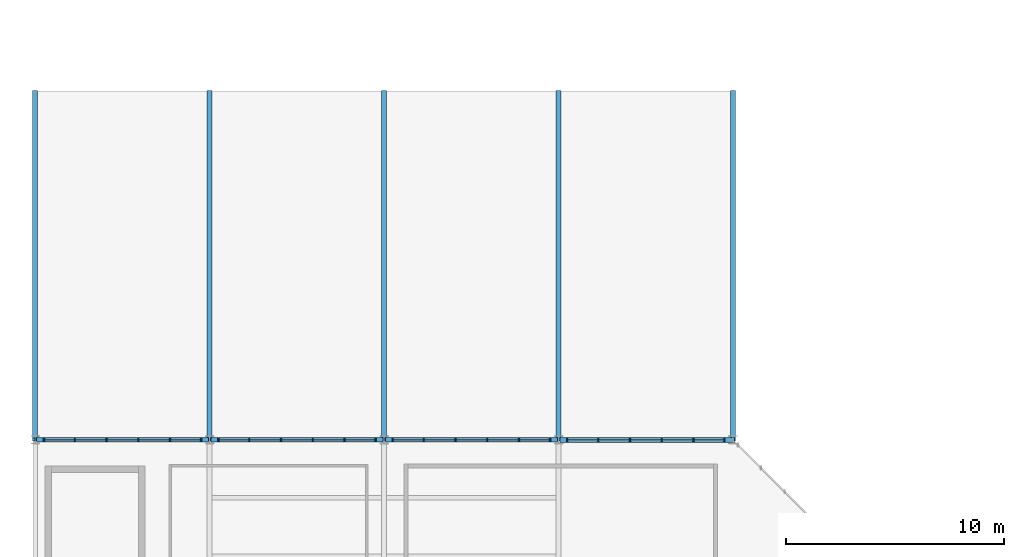
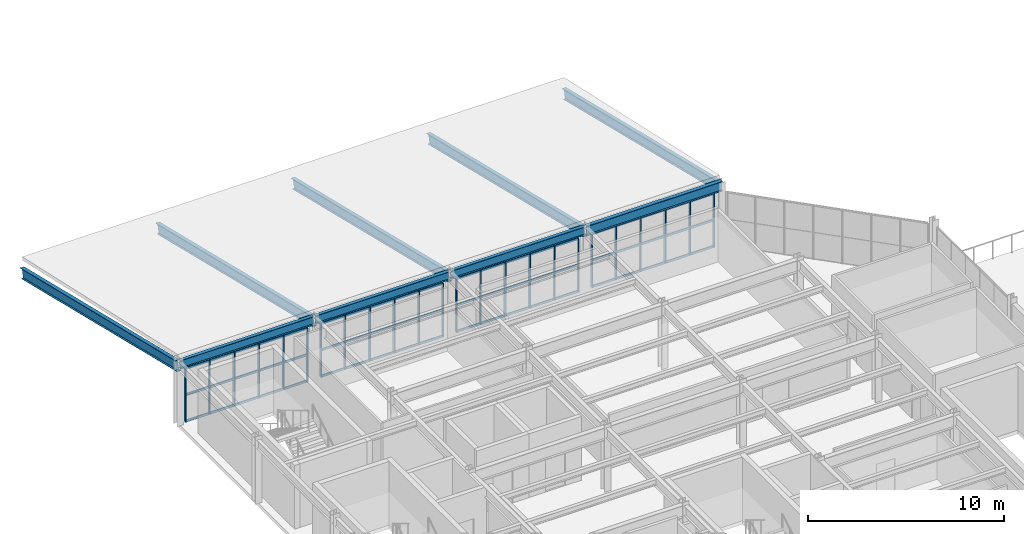
# One storey, part 5 of 27: 36 members, 9 beams, 4 elements without a shape of their own.
"""IFC4 building model written with IfcOpenShell, lengths in metres."""

import ifcopenshell
import ifcopenshell.guid

model = None  # the IFC model being written
_history = None  # IfcOwnerHistory: only IFC2X3 demands one
_inside = {}  # id of a spatial element -> (the spatial element, [elements in it])
_under = {}  # id of a project, library or spatial element -> (it, [spatial elements below it])
_declared = {}  # id of a project -> (the project, [libraries it declares])
_typed = {}  # id of a type object -> (the type object, [elements of that type])
_made_of = {}  # id of a material, layer set ... -> (it, [elements and type objects made of it])


def new_model(schema):
    """Start an empty IFC model of exactly this schema.

    Asked for "IFC4X3", IfcOpenShell would pick the latest addendum, in which some entities
    have other attributes; the version numbers below select the first issue.
    IFC2X3 requires an IfcOwnerHistory on every rooted entity: one is made here for all.
    """
    global model, _history
    if schema == "IFC4X3":
        model = ifcopenshell.file(schema_version=(4, 3, 0, 0))
    else:
        model = ifcopenshell.file(schema=schema)
    _inside.clear()
    _under.clear()
    _declared.clear()
    _typed.clear()
    _made_of.clear()
    _history = None
    if model.schema == "IFC2X3":
        org = make("IfcOrganization", Name="unknown")
        user = make(
            "IfcPersonAndOrganization",
            ThePerson=make("IfcPerson", FamilyName="unknown"),
            TheOrganization=org,
        )
        app = make(
            "IfcApplication",
            ApplicationDeveloper=org,
            Version="unknown",
            ApplicationFullName="unknown",
            ApplicationIdentifier="unknown",
        )
        _history = make(
            "IfcOwnerHistory",
            OwningUser=user,
            OwningApplication=app,
            ChangeAction="ADDED",
            CreationDate=0,
        )
    return model


def make(cls, **values):
    """One entity of the class cls with the attributes given. An attribute that is None is left unset."""
    return model.create_entity(
        cls, **{name: value for name, value in values.items() if value is not None}
    )


def rooted(cls, **values):
    """An entity with a GlobalId (a new one), such as an element, a storey or a relation."""
    return make(cls, GlobalId=ifcopenshell.guid.new(), OwnerHistory=_history, **values)


def si_unit(unit_type, name, prefix=None):
    """IfcSIUnit, for example si_unit("LENGTHUNIT", "METRE", prefix="MILLI")."""
    return make("IfcSIUnit", UnitType=unit_type, Prefix=prefix, Name=name)


def assignment(units):
    """IfcUnitAssignment: the units of a project."""
    return None if units is None else make("IfcUnitAssignment", Units=units)


def point(xyz):
    """IfcCartesianPoint."""
    return None if xyz is None else make("IfcCartesianPoint", Coordinates=xyz)


def direction(xyz):
    """IfcDirection."""
    return None if xyz is None else make("IfcDirection", DirectionRatios=xyz)


def frame(location, z_axis=None, x_axis=None):
    """IfcAxis2Placement3D, a coordinate frame: its origin and axes. An axis left out is left unset."""
    return make(
        "IfcAxis2Placement3D",
        Location=point(location),
        Axis=direction(z_axis),
        RefDirection=direction(x_axis),
    )


def frame_2d(location, x_axis=None):
    """IfcAxis2Placement2D, a coordinate frame in the plane: its origin and x axis."""
    return make(
        "IfcAxis2Placement2D", Location=point(location), RefDirection=direction(x_axis)
    )


def origin():
    """The frame at (0, 0, 0) with its axes left unset."""
    return frame((0.0, 0.0, 0.0))


def origin_2d():
    """The frame at (0, 0) in the plane with its x axis left unset."""
    return frame_2d((0.0, 0.0))


def place(relative_to, where):
    """IfcLocalPlacement: puts the frame where relative to a parent placement (None: the world)."""
    return make(
        "IfcLocalPlacement", PlacementRelTo=relative_to, RelativePlacement=where
    )


def context(
    kind, dimensions, precision=None, world=None, true_north=None, identifier=None
):
    """IfcGeometricRepresentationContext, for example the 3D "Model" context."""
    return make(
        "IfcGeometricRepresentationContext",
        ContextIdentifier=identifier,
        ContextType=kind,
        CoordinateSpaceDimension=dimensions,
        Precision=precision,
        WorldCoordinateSystem=world,
        TrueNorth=true_north,
    )


def subcontext(parent, identifier, kind, view, scale=None):
    """IfcGeometricRepresentationSubContext, for example "Body" below "Model"."""
    return make(
        "IfcGeometricRepresentationSubContext",
        ContextIdentifier=identifier,
        ContextType=kind,
        ParentContext=parent,
        TargetScale=scale,
        TargetView=view,
    )


def project(units=None, contexts=None):
    """IfcProject with its units and contexts."""
    return rooted(
        "IfcProject",
        Name="project",
        RepresentationContexts=contexts,
        UnitsInContext=assignment(units),
    )


def spatial(cls, under=None, at=None, **own):
    """A site, building, storey or space (cls), placed at a placement, below another one or the project."""
    s = rooted(cls, ObjectPlacement=at, **own)
    if under is not None:
        _under.setdefault(under.id(), (under, []))[1].append(s)
    return s


def profile(cls, at=None, kind="AREA", **sizes):
    """A parametric profile (cls). Its sizes go by their IFC names, for example OverallWidth=200.0."""
    return make(cls, ProfileType=kind, Position=at, **sizes)


def rectangle(**sizes):
    """IfcRectangleProfileDef."""
    return profile("IfcRectangleProfileDef", **sizes)


def i_section(**sizes):
    """IfcIShapeProfileDef."""
    return profile("IfcIShapeProfileDef", **sizes)


def extrude(swept, where, along, depth):
    """IfcExtrudedAreaSolid: the profile swept, set in the frame where, extruded along a direction by depth."""
    return make(
        "IfcExtrudedAreaSolid",
        SweptArea=swept,
        Position=where,
        ExtrudedDirection=direction(along),
        Depth=depth,
    )


def shape(context_of_items, identifier, shape_type, items):
    """IfcShapeRepresentation: the items that make up one representation, for example the "Body"."""
    return make(
        "IfcShapeRepresentation",
        ContextOfItems=context_of_items,
        RepresentationIdentifier=identifier,
        RepresentationType=shape_type,
        Items=items,
    )


def material(Name=None, Category=None):
    """IfcMaterial."""
    return make("IfcMaterial", Name=Name, Category=Category)


def material_profile(
    of_material, cross_section, Name=None, Category=None, Priority=None
):
    """IfcMaterialProfile: a cross section and its material."""
    return make(
        "IfcMaterialProfile",
        Name=Name,
        Material=of_material,
        Profile=cross_section,
        Priority=Priority,
        Category=Category,
    )


def profile_set(profiles, Name=None, composite=None):
    """IfcMaterialProfileSet."""
    return make(
        "IfcMaterialProfileSet",
        Name=Name,
        MaterialProfiles=profiles,
        CompositeProfile=composite,
    )


def made_of(thing, what):
    """Note that an element or type object is made of a material, layer set ...; save() writes the relation."""
    if what is not None:
        _made_of.setdefault(what.id(), (what, []))[1].append(thing)
    return thing


def type_object(cls, material=None, **own):
    """A type object (cls), such as IfcWallType, which elements share."""
    return made_of(rooted(cls, **own), material)


def element(
    cls,
    number,
    at=None,
    inside=None,
    cuts=None,
    type_object=None,
    material=None,
    context=None,
    identifier="Body",
    shape_type=None,
    held_by="IfcProductDefinitionShape",
    body=None,
    shapes=None,
    **own,
):
    """One element of the class cls, such as IfcWall. Its Tag is "e" and its number.

    at: its placement. inside: the storey or other place that contains it. cuts: it is an
    opening in that element (IfcRelVoidsElement). A single representation is given by context,
    identifier, shape_type and body (its items); several are given by shapes. held_by: the class
    of the entity that holds the representations. save() writes the other relations.
    """
    e = rooted(cls, Tag="e%d" % number, ObjectPlacement=at, **own)
    if body is not None:
        shapes = [shape(context, identifier, shape_type, body)]
    if shapes is not None:
        e.Representation = make(held_by, Representations=shapes)
    if inside is not None:
        _inside.setdefault(inside.id(), (inside, []))[1].append(e)
    if cuts is not None:
        rooted(
            "IfcRelVoidsElement", RelatingBuildingElement=cuts, RelatedOpeningElement=e
        )
    if type_object is not None:
        _typed.setdefault(type_object.id(), (type_object, []))[1].append(e)
    return made_of(e, material)


def aggregate(whole, parts):
    """IfcRelAggregates: a whole, such as a stair, and the parts it consists of."""
    return rooted("IfcRelAggregates", RelatingObject=whole, RelatedObjects=parts)


def save(model, path):
    """Write the relations noted so far, then the file.

    IfcRelAggregates (storeys below a building ...), IfcRelContainedInSpatialStructure (elements
    in a storey), IfcRelDefinesByType, IfcRelAssociatesMaterial and IfcRelDeclares: one each for
    every whole, place, type object, material and project.
    """
    for whole, parts in _under.values():
        aggregate(whole, parts)
    for where, things in _inside.values():
        rooted(
            "IfcRelContainedInSpatialStructure",
            RelatedElements=things,
            RelatingStructure=where,
        )
    for kind, things in _typed.values():
        rooted("IfcRelDefinesByType", RelatedObjects=things, RelatingType=kind)
    for what, things in _made_of.values():
        rooted("IfcRelAssociatesMaterial", RelatedObjects=things, RelatingMaterial=what)
    for by, libraries in _declared.values():
        rooted("IfcRelDeclares", RelatingContext=by, RelatedDefinitions=libraries)
    model.write(path)


model = new_model("IFC4")

# Units and contexts
model_context = context("Model", 3, precision=1e-05, world=origin(), true_north=direction((0.0, 1.0)))
body_context = subcontext(model_context, "Body", "Model", "MODEL_VIEW")
ifc_project = project(units=[si_unit("LENGTHUNIT", "METRE"), si_unit("AREAUNIT", "SQUARE_METRE"), si_unit("VOLUMEUNIT", "CUBIC_METRE"), si_unit("PLANEANGLEUNIT", "RADIAN"), si_unit("MASSUNIT", "GRAM", prefix="KILO")], contexts=[model_context])

# Site, building, storey
site_placement = place(None, origin())
site = spatial("IfcSite", under=ifc_project, at=site_placement, CompositionType="ELEMENT")
building_placement = place(site_placement, origin())
building = spatial("IfcBuilding", under=site, at=building_placement, Name="Drelvath Fold Interchange", CompositionType="ELEMENT")
storey_placement = place(building_placement, frame((0.0, 0.0, 19.800048828125)))
storey = spatial("IfcBuildingStorey", under=building, at=storey_placement, Name="L04", CompositionType="ELEMENT", Elevation=19.800048828125)

# Beams
ifc_material_1 = material(Name="Steel ASTM A992 Grade 50", Category="steel")
ifc_material_profile_1 = material_profile(ifc_material_1, i_section(OverallWidth=0.2099609375, OverallDepth=0.537109375, WebThickness=0.010986328125, FlangeThickness=0.017333984375, at=origin_2d()), Name="W21X68")
ifc_profile_set_1 = profile_set([ifc_material_profile_1], Name="Steel ASTM A992 Grade 50")
beam_type_1 = type_object("IfcBeamType", Name="BM-W21X68", PredefinedType="SPANDREL", material=ifc_profile_set_1)
for number, where, z_axis, x_axis, name in (
    (1, (4.06005859375, 35.0, 3.717041015625), (1.0, 0.0, 0.0), (0.0, 1.0, 0.0), "L04 Primary X girder BM-W21X68"),
    (2, (12.06005859375, 35.0, 3.717041015625), (1.0, 0.0, 0.0), (0.0, 1.0, 0.0), "L04 Primary X girder BM-W21X68"),
    (3, (20.06005859375, 35.0, 3.717041015625), (1.0, 0.0, 0.0), (0.0, 1.0, 0.0), "L04 Primary X girder BM-W21X68"),
):
    element("IfcBeam", number, at=place(storey_placement, frame(where, z_axis=z_axis, x_axis=x_axis)), inside=storey, type_object=beam_type_1, Name=name, PredefinedType="SPANDREL", context=body_context, shape_type="SweptSolid", body=[
        extrude(i_section(OverallWidth=0.2099609375, OverallDepth=0.537109375, WebThickness=0.010986328125, FlangeThickness=0.017333984375, at=origin_2d()), origin(), (0.0, 0.0, 1.0), 7.8798828125),
    ])
ifc_material_profile_2 = material_profile(ifc_material_1, i_section(OverallWidth=0.22998046875, OverallDepth=0.616943359375, WebThickness=0.01318359375, FlangeThickness=0.022216796875, at=origin_2d()), Name="W24X94")
ifc_profile_set_2 = profile_set([ifc_material_profile_2], Name="Steel ASTM A992 Grade 50")
beam_type_2 = type_object("IfcBeamType", Name="BM-W24X94", PredefinedType="BEAM", material=ifc_profile_set_2)
beam_placement = place(storey_placement, frame((28.06005859375, 35.0, 3.677001953125), z_axis=(1.0, 0.0, 0.0), x_axis=(0.0, 1.0, 0.0)))
element("IfcBeam", 4, at=beam_placement, inside=storey, type_object=beam_type_2, Name="L04 Operations shoulder ridge girder BM-W24X94", PredefinedType="BEAM", context=body_context, shape_type="SweptSolid", body=[
    extrude(i_section(OverallWidth=0.22998046875, OverallDepth=0.616943359375, WebThickness=0.01318359375, FlangeThickness=0.022216796875, at=origin_2d()), origin(), (0.0, 0.0, 1.0), 8.0),
])
for number, where, z_axis, x_axis, name in (
    (5, (4.0, 35.02001953125, 3.619873046875), (0.0, 0.972016791256, -0.234911382264), (-1.0, 0.0, 0.0), "Operations shoulder roof rafter"),
    (6, (12.0, 35.02001953125, 3.619873046875), (0.0, 0.972016791256, -0.234911382264), (-1.0, 0.0, 0.0), "Operations shoulder roof rafter"),
    (7, (20.0, 35.02001953125, 3.619873046875), (0.0, 0.972016791256, -0.234911382264), (-1.0, 0.0, 0.0), "Operations shoulder roof rafter"),
    (8, (28.0, 35.02001953125, 3.619873046875), (0.0, 0.972016791256, -0.234911382264), (-1.0, 0.0, 0.0), "Operations shoulder roof rafter"),
    (9, (36.0, 35.02001953125, 3.619873046875), (0.0, 0.972016791256, -0.234911382264), (-1.0, 0.0, 0.0), "Operations shoulder roof rafter"),
):
    element("IfcBeam", number, at=place(storey_placement, frame(where, z_axis=z_axis, x_axis=x_axis)), inside=storey, type_object=beam_type_2, Name=name, PredefinedType="BEAM", context=body_context, shape_type="SweptSolid", body=[
        extrude(i_section(OverallWidth=0.22998046875, OverallDepth=0.616943359375, WebThickness=0.01318359375, FlangeThickness=0.022216796875, at=origin_2d()), origin(), (0.0, 0.0, 1.0), 16.388427734375),
    ])

# Curtain wall, members
ifc_material_2 = material(Name="Anodized Aluminium 6063-T6", Category="aluminium")
curtain_wall_type = type_object("IfcCurtainWallType", Name="CW-OPS-UPP", PredefinedType="USERDEFINED", material=ifc_material_2)
curtain_wall_1_placement = place(storey_placement, origin())
curtain_wall_1 = element("IfcCurtainWall", 10, at=curtain_wall_1_placement, inside=storey, type_object=curtain_wall_type, Name="Curtain wall CW-V5-L04-N4", ObjectType="UNITISED CURTAIN WALL", PredefinedType="USERDEFINED")
ifc_material_profile_3 = material_profile(ifc_material_2, rectangle(XDim=0.06005859375, YDim=0.175048828125, at=origin_2d()), Name="AL-M 60x175")
ifc_profile_set_3 = profile_set([ifc_material_profile_3], Name="Anodized Aluminium 6063-T6")
member_type_1 = type_object("IfcMemberType", Name="ML-175", PredefinedType="MULLION", material=ifc_profile_set_3)
member_1_placement = place(storey_placement, frame((4.39990234375, 35.0, 0.0), z_axis=(0.0, 0.0, 1.0), x_axis=(1.0, 0.0, 0.0)))
member_1 = element("IfcMember", 11, at=member_1_placement, type_object=member_type_1, Name="CW-V5-L04-N4 mullion 0", PredefinedType="MULLION", context=body_context, shape_type="SweptSolid", body=[
    extrude(rectangle(XDim=0.06005859375, YDim=0.175048828125, at=origin_2d()), origin(), (0.0, 0.0, 1.0), 3.349853515625),
])
member_2_placement = place(storey_placement, frame((5.81591796875, 35.0, 0.0), z_axis=(0.0, 0.0, 1.0), x_axis=(1.0, 0.0, 0.0)))
member_2 = element("IfcMember", 12, at=member_2_placement, type_object=member_type_1, Name="CW-V5-L04-N4 mullion 1", PredefinedType="MULLION", context=body_context, shape_type="SweptSolid", body=[
    extrude(rectangle(XDim=0.06005859375, YDim=0.175048828125, at=origin_2d()), origin(), (0.0, 0.0, 1.0), 3.349853515625),
])
member_3_placement = place(storey_placement, frame((7.27197265625, 35.0, 0.0), z_axis=(0.0, 0.0, 1.0), x_axis=(1.0, 0.0, 0.0)))
member_3 = element("IfcMember", 13, at=member_3_placement, type_object=member_type_1, Name="CW-V5-L04-N4 mullion 2", PredefinedType="MULLION", context=body_context, shape_type="SweptSolid", body=[
    extrude(rectangle(XDim=0.06005859375, YDim=0.175048828125, at=origin_2d()), origin(), (0.0, 0.0, 1.0), 3.349853515625),
])
member_4_placement = place(storey_placement, frame((8.72802734375, 35.0, 0.0), z_axis=(0.0, 0.0, 1.0), x_axis=(1.0, 0.0, 0.0)))
member_4 = element("IfcMember", 14, at=member_4_placement, type_object=member_type_1, Name="CW-V5-L04-N4 mullion 3", PredefinedType="MULLION", context=body_context, shape_type="SweptSolid", body=[
    extrude(rectangle(XDim=0.06005859375, YDim=0.175048828125, at=origin_2d()), origin(), (0.0, 0.0, 1.0), 3.349853515625),
])
member_5_placement = place(storey_placement, frame((10.18408203125, 35.0, 0.0), z_axis=(0.0, 0.0, 1.0), x_axis=(1.0, 0.0, 0.0)))
member_5 = element("IfcMember", 15, at=member_5_placement, type_object=member_type_1, Name="CW-V5-L04-N4 mullion 4", PredefinedType="MULLION", context=body_context, shape_type="SweptSolid", body=[
    extrude(rectangle(XDim=0.06005859375, YDim=0.175048828125, at=origin_2d()), origin(), (0.0, 0.0, 1.0), 3.349853515625),
])
member_6_placement = place(storey_placement, frame((11.60009765625, 35.0, 0.0), z_axis=(0.0, 0.0, 1.0), x_axis=(1.0, 0.0, 0.0)))
member_6 = element("IfcMember", 16, at=member_6_placement, type_object=member_type_1, Name="CW-V5-L04-N4 mullion 5", PredefinedType="MULLION", context=body_context, shape_type="SweptSolid", body=[
    extrude(rectangle(XDim=0.06005859375, YDim=0.175048828125, at=origin_2d()), origin(), (0.0, 0.0, 1.0), 3.349853515625),
])

curtain_wall_2_placement = place(storey_placement, origin())
curtain_wall_2 = element("IfcCurtainWall", 17, at=curtain_wall_2_placement, inside=storey, type_object=curtain_wall_type, Name="Curtain wall CW-V5-L04-N12", ObjectType="UNITISED CURTAIN WALL", PredefinedType="USERDEFINED")
member_7_placement = place(storey_placement, frame((12.39990234375, 35.0, 0.0), z_axis=(0.0, 0.0, 1.0), x_axis=(1.0, 0.0, 0.0)))
member_7 = element("IfcMember", 18, at=member_7_placement, type_object=member_type_1, Name="CW-V5-L04-N12 mullion 0", PredefinedType="MULLION", context=body_context, shape_type="SweptSolid", body=[
    extrude(rectangle(XDim=0.06005859375, YDim=0.175048828125, at=origin_2d()), origin(), (0.0, 0.0, 1.0), 3.349853515625),
])
member_8_placement = place(storey_placement, frame((13.81591796875, 35.0, 0.0), z_axis=(0.0, 0.0, 1.0), x_axis=(1.0, 0.0, 0.0)))
member_8 = element("IfcMember", 19, at=member_8_placement, type_object=member_type_1, Name="CW-V5-L04-N12 mullion 1", PredefinedType="MULLION", context=body_context, shape_type="SweptSolid", body=[
    extrude(rectangle(XDim=0.06005859375, YDim=0.175048828125, at=origin_2d()), origin(), (0.0, 0.0, 1.0), 3.349853515625),
])
member_9_placement = place(storey_placement, frame((15.27197265625, 35.0, 0.0), z_axis=(0.0, 0.0, 1.0), x_axis=(1.0, 0.0, 0.0)))
member_9 = element("IfcMember", 20, at=member_9_placement, type_object=member_type_1, Name="CW-V5-L04-N12 mullion 2", PredefinedType="MULLION", context=body_context, shape_type="SweptSolid", body=[
    extrude(rectangle(XDim=0.06005859375, YDim=0.175048828125, at=origin_2d()), origin(), (0.0, 0.0, 1.0), 3.349853515625),
])
member_10_placement = place(storey_placement, frame((16.72802734375, 35.0, 0.0), z_axis=(0.0, 0.0, 1.0), x_axis=(1.0, 0.0, 0.0)))
member_10 = element("IfcMember", 21, at=member_10_placement, type_object=member_type_1, Name="CW-V5-L04-N12 mullion 3", PredefinedType="MULLION", context=body_context, shape_type="SweptSolid", body=[
    extrude(rectangle(XDim=0.06005859375, YDim=0.175048828125, at=origin_2d()), origin(), (0.0, 0.0, 1.0), 3.349853515625),
])
member_11_placement = place(storey_placement, frame((18.18408203125, 35.0, 0.0), z_axis=(0.0, 0.0, 1.0), x_axis=(1.0, 0.0, 0.0)))
member_11 = element("IfcMember", 22, at=member_11_placement, type_object=member_type_1, Name="CW-V5-L04-N12 mullion 4", PredefinedType="MULLION", context=body_context, shape_type="SweptSolid", body=[
    extrude(rectangle(XDim=0.06005859375, YDim=0.175048828125, at=origin_2d()), origin(), (0.0, 0.0, 1.0), 3.349853515625),
])
member_12_placement = place(storey_placement, frame((19.60009765625, 35.0, 0.0), z_axis=(0.0, 0.0, 1.0), x_axis=(1.0, 0.0, 0.0)))
member_12 = element("IfcMember", 23, at=member_12_placement, type_object=member_type_1, Name="CW-V5-L04-N12 mullion 5", PredefinedType="MULLION", context=body_context, shape_type="SweptSolid", body=[
    extrude(rectangle(XDim=0.06005859375, YDim=0.175048828125, at=origin_2d()), origin(), (0.0, 0.0, 1.0), 3.349853515625),
])

curtain_wall_3_placement = place(storey_placement, origin())
curtain_wall_3 = element("IfcCurtainWall", 24, at=curtain_wall_3_placement, inside=storey, type_object=curtain_wall_type, Name="Curtain wall CW-V5-L04-N20", ObjectType="UNITISED CURTAIN WALL", PredefinedType="USERDEFINED")
member_13_placement = place(storey_placement, frame((20.39990234375, 35.0, 0.0), z_axis=(0.0, 0.0, 1.0), x_axis=(1.0, 0.0, 0.0)))
member_13 = element("IfcMember", 25, at=member_13_placement, type_object=member_type_1, Name="CW-V5-L04-N20 mullion 0", PredefinedType="MULLION", context=body_context, shape_type="SweptSolid", body=[
    extrude(rectangle(XDim=0.06005859375, YDim=0.175048828125, at=origin_2d()), origin(), (0.0, 0.0, 1.0), 3.349853515625),
])
member_14_placement = place(storey_placement, frame((21.81591796875, 35.0, 0.0), z_axis=(0.0, 0.0, 1.0), x_axis=(1.0, 0.0, 0.0)))
member_14 = element("IfcMember", 26, at=member_14_placement, type_object=member_type_1, Name="CW-V5-L04-N20 mullion 1", PredefinedType="MULLION", context=body_context, shape_type="SweptSolid", body=[
    extrude(rectangle(XDim=0.06005859375, YDim=0.175048828125, at=origin_2d()), origin(), (0.0, 0.0, 1.0), 3.349853515625),
])
member_15_placement = place(storey_placement, frame((23.27197265625, 35.0, 0.0), z_axis=(0.0, 0.0, 1.0), x_axis=(1.0, 0.0, 0.0)))
member_15 = element("IfcMember", 27, at=member_15_placement, type_object=member_type_1, Name="CW-V5-L04-N20 mullion 2", PredefinedType="MULLION", context=body_context, shape_type="SweptSolid", body=[
    extrude(rectangle(XDim=0.06005859375, YDim=0.175048828125, at=origin_2d()), origin(), (0.0, 0.0, 1.0), 3.349853515625),
])
member_16_placement = place(storey_placement, frame((24.72802734375, 35.0, 0.0), z_axis=(0.0, 0.0, 1.0), x_axis=(1.0, 0.0, 0.0)))
member_16 = element("IfcMember", 28, at=member_16_placement, type_object=member_type_1, Name="CW-V5-L04-N20 mullion 3", PredefinedType="MULLION", context=body_context, shape_type="SweptSolid", body=[
    extrude(rectangle(XDim=0.06005859375, YDim=0.175048828125, at=origin_2d()), origin(), (0.0, 0.0, 1.0), 3.349853515625),
])
member_17_placement = place(storey_placement, frame((26.18408203125, 35.0, 0.0), z_axis=(0.0, 0.0, 1.0), x_axis=(1.0, 0.0, 0.0)))
member_17 = element("IfcMember", 29, at=member_17_placement, type_object=member_type_1, Name="CW-V5-L04-N20 mullion 4", PredefinedType="MULLION", context=body_context, shape_type="SweptSolid", body=[
    extrude(rectangle(XDim=0.06005859375, YDim=0.175048828125, at=origin_2d()), origin(), (0.0, 0.0, 1.0), 3.349853515625),
])
member_18_placement = place(storey_placement, frame((27.60009765625, 35.0, 0.0), z_axis=(0.0, 0.0, 1.0), x_axis=(1.0, 0.0, 0.0)))
member_18 = element("IfcMember", 30, at=member_18_placement, type_object=member_type_1, Name="CW-V5-L04-N20 mullion 5", PredefinedType="MULLION", context=body_context, shape_type="SweptSolid", body=[
    extrude(rectangle(XDim=0.06005859375, YDim=0.175048828125, at=origin_2d()), origin(), (0.0, 0.0, 1.0), 3.349853515625),
])

curtain_wall_4_placement = place(storey_placement, origin())
curtain_wall_4 = element("IfcCurtainWall", 31, at=curtain_wall_4_placement, inside=storey, type_object=curtain_wall_type, Name="Curtain wall CW-V5-L04-N28", ObjectType="UNITISED CURTAIN WALL", PredefinedType="USERDEFINED")
member_19_placement = place(storey_placement, frame((28.39990234375, 35.0, 0.0), z_axis=(0.0, 0.0, 1.0), x_axis=(1.0, 0.0, 0.0)))
member_19 = element("IfcMember", 32, at=member_19_placement, type_object=member_type_1, Name="CW-V5-L04-N28 mullion 0", PredefinedType="MULLION", context=body_context, shape_type="SweptSolid", body=[
    extrude(rectangle(XDim=0.06005859375, YDim=0.175048828125, at=origin_2d()), origin(), (0.0, 0.0, 1.0), 3.349853515625),
])
member_20_placement = place(storey_placement, frame((29.81591796875, 35.0, 0.0), z_axis=(0.0, 0.0, 1.0), x_axis=(1.0, 0.0, 0.0)))
member_20 = element("IfcMember", 33, at=member_20_placement, type_object=member_type_1, Name="CW-V5-L04-N28 mullion 1", PredefinedType="MULLION", context=body_context, shape_type="SweptSolid", body=[
    extrude(rectangle(XDim=0.06005859375, YDim=0.175048828125, at=origin_2d()), origin(), (0.0, 0.0, 1.0), 3.349853515625),
])
member_21_placement = place(storey_placement, frame((31.27197265625, 35.0, 0.0), z_axis=(0.0, 0.0, 1.0), x_axis=(1.0, 0.0, 0.0)))
member_21 = element("IfcMember", 34, at=member_21_placement, type_object=member_type_1, Name="CW-V5-L04-N28 mullion 2", PredefinedType="MULLION", context=body_context, shape_type="SweptSolid", body=[
    extrude(rectangle(XDim=0.06005859375, YDim=0.175048828125, at=origin_2d()), origin(), (0.0, 0.0, 1.0), 3.349853515625),
])
member_22_placement = place(storey_placement, frame((32.72802734375, 35.0, 0.0), z_axis=(0.0, 0.0, 1.0), x_axis=(1.0, 0.0, 0.0)))
member_22 = element("IfcMember", 35, at=member_22_placement, type_object=member_type_1, Name="CW-V5-L04-N28 mullion 3", PredefinedType="MULLION", context=body_context, shape_type="SweptSolid", body=[
    extrude(rectangle(XDim=0.06005859375, YDim=0.175048828125, at=origin_2d()), origin(), (0.0, 0.0, 1.0), 3.349853515625),
])
member_23_placement = place(storey_placement, frame((34.18408203125, 35.0, 0.0), z_axis=(0.0, 0.0, 1.0), x_axis=(1.0, 0.0, 0.0)))
member_23 = element("IfcMember", 36, at=member_23_placement, type_object=member_type_1, Name="CW-V5-L04-N28 mullion 4", PredefinedType="MULLION", context=body_context, shape_type="SweptSolid", body=[
    extrude(rectangle(XDim=0.06005859375, YDim=0.175048828125, at=origin_2d()), origin(), (0.0, 0.0, 1.0), 3.349853515625),
])
member_24_placement = place(storey_placement, frame((35.60009765625, 35.0, 0.0), z_axis=(0.0, 0.0, 1.0), x_axis=(1.0, 0.0, 0.0)))
member_24 = element("IfcMember", 37, at=member_24_placement, type_object=member_type_1, Name="CW-V5-L04-N28 mullion 5", PredefinedType="MULLION", context=body_context, shape_type="SweptSolid", body=[
    extrude(rectangle(XDim=0.06005859375, YDim=0.175048828125, at=origin_2d()), origin(), (0.0, 0.0, 1.0), 3.349853515625),
])

# Member
ifc_material_profile_4 = material_profile(ifc_material_2, rectangle(XDim=0.06005859375, YDim=0.139892578125, at=origin_2d()), Name="AL-T 60x140")
ifc_profile_set_4 = profile_set([ifc_material_profile_4], Name="Anodized Aluminium 6063-T6")
member_type_2 = type_object("IfcMemberType", Name="TR-140", PredefinedType="USERDEFINED", material=ifc_profile_set_4)
member_25_placement = place(storey_placement, frame((4.39990234375, 35.0, 0.030029296875), z_axis=(1.0, 0.0, 0.0), x_axis=(0.0, 1.0, 0.0)))
member_25 = element("IfcMember", 38, at=member_25_placement, type_object=member_type_2, Name="CW-V5-L04-N4 transom 0", ObjectType="TRANSOM", PredefinedType="USERDEFINED", context=body_context, shape_type="SweptSolid", body=[
    extrude(rectangle(XDim=0.06005859375, YDim=0.139892578125, at=origin_2d()), origin(), (0.0, 0.0, 1.0), 7.2001953125),
])

member_26_placement = place(storey_placement, frame((4.39990234375, 35.0, 1.675048828125), z_axis=(1.0, 0.0, 0.0), x_axis=(0.0, 1.0, 0.0)))
member_26 = element("IfcMember", 39, at=member_26_placement, type_object=member_type_2, Name="CW-V5-L04-N4 transom 1", ObjectType="TRANSOM", PredefinedType="USERDEFINED", context=body_context, shape_type="SweptSolid", body=[
    extrude(rectangle(XDim=0.06005859375, YDim=0.139892578125, at=origin_2d()), origin(), (0.0, 0.0, 1.0), 7.2001953125),
])

member_27_placement = place(storey_placement, frame((4.39990234375, 35.0, 3.320068359375), z_axis=(1.0, 0.0, 0.0), x_axis=(0.0, 1.0, 0.0)))
member_27 = element("IfcMember", 40, at=member_27_placement, type_object=member_type_2, Name="CW-V5-L04-N4 transom 2", ObjectType="TRANSOM", PredefinedType="USERDEFINED", context=body_context, shape_type="SweptSolid", body=[
    extrude(rectangle(XDim=0.06005859375, YDim=0.139892578125, at=origin_2d()), origin(), (0.0, 0.0, 1.0), 7.2001953125),
])

aggregate(curtain_wall_1, [member_1, member_2, member_3, member_4, member_5, member_6, member_25, member_26, member_27])

member_28_placement = place(storey_placement, frame((12.39990234375, 35.0, 0.030029296875), z_axis=(1.0, 0.0, 0.0), x_axis=(0.0, 1.0, 0.0)))
member_28 = element("IfcMember", 41, at=member_28_placement, type_object=member_type_2, Name="CW-V5-L04-N12 transom 0", ObjectType="TRANSOM", PredefinedType="USERDEFINED", context=body_context, shape_type="SweptSolid", body=[
    extrude(rectangle(XDim=0.06005859375, YDim=0.139892578125, at=origin_2d()), origin(), (0.0, 0.0, 1.0), 7.2001953125),
])

member_29_placement = place(storey_placement, frame((12.39990234375, 35.0, 1.675048828125), z_axis=(1.0, 0.0, 0.0), x_axis=(0.0, 1.0, 0.0)))
member_29 = element("IfcMember", 42, at=member_29_placement, type_object=member_type_2, Name="CW-V5-L04-N12 transom 1", ObjectType="TRANSOM", PredefinedType="USERDEFINED", context=body_context, shape_type="SweptSolid", body=[
    extrude(rectangle(XDim=0.06005859375, YDim=0.139892578125, at=origin_2d()), origin(), (0.0, 0.0, 1.0), 7.2001953125),
])

member_30_placement = place(storey_placement, frame((12.39990234375, 35.0, 3.320068359375), z_axis=(1.0, 0.0, 0.0), x_axis=(0.0, 1.0, 0.0)))
member_30 = element("IfcMember", 43, at=member_30_placement, type_object=member_type_2, Name="CW-V5-L04-N12 transom 2", ObjectType="TRANSOM", PredefinedType="USERDEFINED", context=body_context, shape_type="SweptSolid", body=[
    extrude(rectangle(XDim=0.06005859375, YDim=0.139892578125, at=origin_2d()), origin(), (0.0, 0.0, 1.0), 7.2001953125),
])

aggregate(curtain_wall_2, [member_7, member_8, member_9, member_10, member_11, member_12, member_28, member_29, member_30])

member_31_placement = place(storey_placement, frame((20.39990234375, 35.0, 0.030029296875), z_axis=(1.0, 0.0, 0.0), x_axis=(0.0, 1.0, 0.0)))
member_31 = element("IfcMember", 44, at=member_31_placement, type_object=member_type_2, Name="CW-V5-L04-N20 transom 0", ObjectType="TRANSOM", PredefinedType="USERDEFINED", context=body_context, shape_type="SweptSolid", body=[
    extrude(rectangle(XDim=0.06005859375, YDim=0.139892578125, at=origin_2d()), origin(), (0.0, 0.0, 1.0), 7.2001953125),
])

member_32_placement = place(storey_placement, frame((20.39990234375, 35.0, 1.675048828125), z_axis=(1.0, 0.0, 0.0), x_axis=(0.0, 1.0, 0.0)))
member_32 = element("IfcMember", 45, at=member_32_placement, type_object=member_type_2, Name="CW-V5-L04-N20 transom 1", ObjectType="TRANSOM", PredefinedType="USERDEFINED", context=body_context, shape_type="SweptSolid", body=[
    extrude(rectangle(XDim=0.06005859375, YDim=0.139892578125, at=origin_2d()), origin(), (0.0, 0.0, 1.0), 7.2001953125),
])

member_33_placement = place(storey_placement, frame((20.39990234375, 35.0, 3.320068359375), z_axis=(1.0, 0.0, 0.0), x_axis=(0.0, 1.0, 0.0)))
member_33 = element("IfcMember", 46, at=member_33_placement, type_object=member_type_2, Name="CW-V5-L04-N20 transom 2", ObjectType="TRANSOM", PredefinedType="USERDEFINED", context=body_context, shape_type="SweptSolid", body=[
    extrude(rectangle(XDim=0.06005859375, YDim=0.139892578125, at=origin_2d()), origin(), (0.0, 0.0, 1.0), 7.2001953125),
])

aggregate(curtain_wall_3, [member_13, member_14, member_15, member_16, member_17, member_18, member_31, member_32, member_33])

member_34_placement = place(storey_placement, frame((28.39990234375, 35.0, 0.030029296875), z_axis=(1.0, 0.0, 0.0), x_axis=(0.0, 1.0, 0.0)))
member_34 = element("IfcMember", 47, at=member_34_placement, type_object=member_type_2, Name="CW-V5-L04-N28 transom 0", ObjectType="TRANSOM", PredefinedType="USERDEFINED", context=body_context, shape_type="SweptSolid", body=[
    extrude(rectangle(XDim=0.06005859375, YDim=0.139892578125, at=origin_2d()), origin(), (0.0, 0.0, 1.0), 7.2001953125),
])

member_35_placement = place(storey_placement, frame((28.39990234375, 35.0, 1.675048828125), z_axis=(1.0, 0.0, 0.0), x_axis=(0.0, 1.0, 0.0)))
member_35 = element("IfcMember", 48, at=member_35_placement, type_object=member_type_2, Name="CW-V5-L04-N28 transom 1", ObjectType="TRANSOM", PredefinedType="USERDEFINED", context=body_context, shape_type="SweptSolid", body=[
    extrude(rectangle(XDim=0.06005859375, YDim=0.139892578125, at=origin_2d()), origin(), (0.0, 0.0, 1.0), 7.2001953125),
])

member_36_placement = place(storey_placement, frame((28.39990234375, 35.0, 3.320068359375), z_axis=(1.0, 0.0, 0.0), x_axis=(0.0, 1.0, 0.0)))
member_36 = element("IfcMember", 49, at=member_36_placement, type_object=member_type_2, Name="CW-V5-L04-N28 transom 2", ObjectType="TRANSOM", PredefinedType="USERDEFINED", context=body_context, shape_type="SweptSolid", body=[
    extrude(rectangle(XDim=0.06005859375, YDim=0.139892578125, at=origin_2d()), origin(), (0.0, 0.0, 1.0), 7.2001953125),
])

aggregate(curtain_wall_4, [member_19, member_20, member_21, member_22, member_23, member_24, member_34, member_35, member_36])

save(model, "model.ifc")
